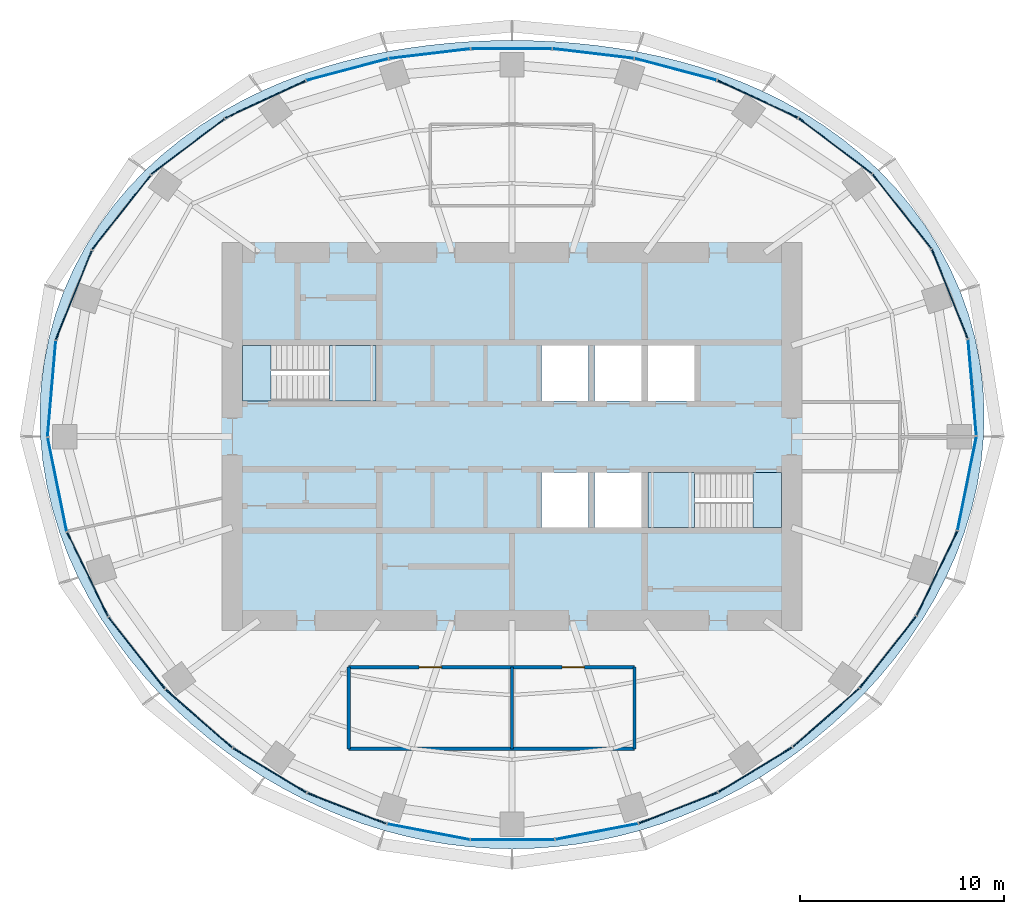
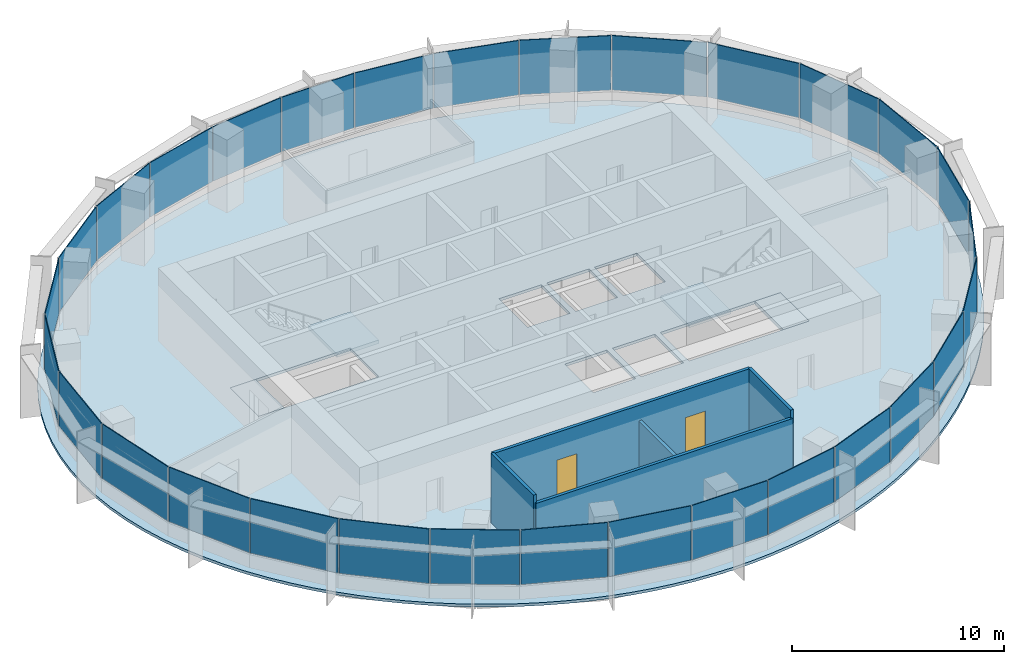
# One storey, part 8 of 13: 30 plates, 5 slabs, 5 walls, 2 doors, 2 openings, 8 elements without a shape of their own.
"""IFC4 building model written with IfcOpenShell, lengths in metres."""

from ifc_helpers import new_model, si_unit, direction, frame, frame_2d, origin, origin_2d, place, context, subcontext, project, spatial, polyline, rectangle, outline, extrude, material, layer, layer_set, type_object, element, fill, aggregate, save


model = new_model("IFC4")

# Units and contexts
model_context = context("Model", 3, precision=1e-05, world=origin(), true_north=direction((0.0, 1.0)))
body_context = subcontext(model_context, "Body", "Model", "MODEL_VIEW")
ifc_project = project(units=[si_unit("LENGTHUNIT", "METRE"), si_unit("AREAUNIT", "SQUARE_METRE"), si_unit("VOLUMEUNIT", "CUBIC_METRE"), si_unit("PLANEANGLEUNIT", "RADIAN"), si_unit("MASSUNIT", "GRAM", prefix="KILO")], contexts=[model_context])

# Site, building, storey
site_placement = place(None, origin())
site = spatial("IfcSite", under=ifc_project, at=site_placement, CompositionType="ELEMENT")
building_placement = place(site_placement, origin())
building = spatial("IfcBuilding", under=site, at=building_placement, Name="Marramba Exchange Tower", CompositionType="ELEMENT")
storey_placement = place(building_placement, frame((0.0, 0.0, 272.800048828125)))
storey = spatial("IfcBuildingStorey", under=building, at=storey_placement, Name="L66", CompositionType="ELEMENT", Elevation=272.800048828125)

# Slab
ifc_material_1 = material(Name="Concrete N40", Category="concrete")
ifc_layer_1 = layer(ifc_material_1, 0.159912109375)
ifc_layer_set_1 = layer_set([ifc_layer_1], Name="Composite floor slab 160")
slab_type_1 = type_object("IfcSlabType", Name="Composite floor slab 160", PredefinedType="FLOOR", material=ifc_layer_set_1)
slab_1_placement = place(storey_placement, frame((0.0, 0.0, -0.16015625)))
element("IfcSlab", 1, at=slab_1_placement, inside=storey, type_object=slab_type_1, Name="Floor slab L66", PredefinedType="FLOOR", context=body_context, shape_type="SweptSolid", body=[
    extrude(outline(polyline([(23.10009765625, 0.0), (23.129150390625, 1.212158203125), (23.070068359375, 2.4248046875), (22.921630859375, 3.63037109375), (22.6845703125, 4.82177734375), (22.359619140625, 5.9912109375), (21.94970703125, 7.1318359375), (21.4580078125, 8.237060546875), (20.889404296875, 9.300537109375), (20.248779296875, 10.3173828125), (19.542236328125, 11.28271484375), (18.77587890625, 12.193359375), (17.95654296875, 13.046142578125), (17.090576171875, 13.83984375), (16.18505859375, 14.572998046875), (15.245849609375, 15.245849609375), (14.279541015625, 15.85888671875), (13.291259765625, 16.413330078125), (12.28662109375, 16.9111328125), (11.270263671875, 17.3544921875), (10.24560546875, 17.745849609375), (9.21630859375, 18.088134765625), (8.185302734375, 18.38427734375), (7.154296875, 18.63720703125), (6.124755859375, 18.849853515625), (5.09765625, 19.024658203125), (4.073486328125, 19.1640625), (3.05224609375, 19.2705078125), (2.033203125, 19.344970703125), (1.01611328125, 19.389404296875), (0.0, 19.404052734375), (-1.01611328125, 19.389404296875), (-2.033203125, 19.344970703125), (-3.05224609375, 19.2705078125), (-4.073486328125, 19.1640625), (-5.09765625, 19.024658203125), (-6.124755859375, 18.849853515625), (-7.154296875, 18.63720703125), (-8.185302734375, 18.38427734375), (-9.21630859375, 18.088134765625), (-10.24560546875, 17.745849609375), (-11.270263671875, 17.3544921875), (-12.28662109375, 16.9111328125), (-13.291259765625, 16.413330078125), (-14.279541015625, 15.85888671875), (-15.245849609375, 15.245849609375), (-16.18505859375, 14.572998046875), (-17.090576171875, 13.83984375), (-17.95654296875, 13.046142578125), (-18.77587890625, 12.193359375), (-19.542236328125, 11.28271484375), (-20.248779296875, 10.3173828125), (-20.889404296875, 9.300537109375), (-21.4580078125, 8.237060546875), (-21.94970703125, 7.1318359375), (-22.359619140625, 5.9912109375), (-22.6845703125, 4.82177734375), (-22.921630859375, 3.63037109375), (-23.070068359375, 2.4248046875), (-23.129150390625, 1.212158203125), (-23.10009765625, 0.0), (-22.98486328125, -1.20458984375), (-22.78662109375, -2.39501953125), (-22.50927734375, -3.565185546875), (-22.1572265625, -4.709716796875), (-21.736083984375, -5.82421875), (-21.250732421875, -6.90478515625), (-20.706787109375, -7.948486328125), (-20.109619140625, -8.953369140625), (-19.46435546875, -9.91748046875), (-18.77587890625, -10.84033203125), (-18.048583984375, -11.720947265625), (-17.2861328125, -12.55908203125), (-16.4921875, -13.355224609375), (-15.669677734375, -14.10888671875), (-14.820556640625, -14.820556640625), (-13.947509765625, -15.490478515625), (-13.05224609375, -16.1181640625), (-12.1357421875, -16.703369140625), (-11.199951171875, -17.246337890625), (-10.24560546875, -17.745849609375), (-9.274169921875, -18.20166015625), (-8.287109375, -18.613037109375), (-7.285400390625, -18.978759765625), (-6.2705078125, -19.29833984375), (-5.243896484375, -19.570556640625), (-4.20751953125, -19.79443359375), (-3.162841796875, -19.9697265625), (-2.112060546875, -20.09521484375), (-1.05712890625, -20.1708984375), (0.0, -20.196044921875), (1.05712890625, -20.1708984375), (2.112060546875, -20.09521484375), (3.162841796875, -19.9697265625), (4.20751953125, -19.79443359375), (5.243896484375, -19.570556640625), (6.2705078125, -19.29833984375), (7.285400390625, -18.978759765625), (8.287109375, -18.613037109375), (9.274169921875, -18.20166015625), (10.24560546875, -17.745849609375), (11.199951171875, -17.246337890625), (12.1357421875, -16.703369140625), (13.05224609375, -16.1181640625), (13.947509765625, -15.490478515625), (14.820556640625, -14.820556640625), (15.669677734375, -14.10888671875), (16.4921875, -13.355224609375), (17.2861328125, -12.55908203125), (18.048583984375, -11.720947265625), (18.77587890625, -10.84033203125), (19.46435546875, -9.91748046875), (20.109619140625, -8.953369140625), (20.706787109375, -7.948486328125), (21.250732421875, -6.90478515625), (21.736083984375, -5.82421875), (22.1572265625, -4.709716796875), (22.50927734375, -3.565185546875), (22.78662109375, -2.39501953125), (22.98486328125, -1.20458984375), (23.10009765625, 0.0)]), holes=[polyline([(1.449951171875, 1.75), (3.75, 1.75), (3.75, 4.449951171875), (1.449951171875, 4.449951171875), (1.449951171875, 1.75)]), polyline([(4.050048828125, 1.75), (6.35009765625, 1.75), (6.35009765625, 4.449951171875), (4.050048828125, 4.449951171875), (4.050048828125, 1.75)]), polyline([(1.449951171875, -4.449951171875), (3.75, -4.449951171875), (3.75, -1.75), (1.449951171875, -1.75), (1.449951171875, -4.449951171875)]), polyline([(4.050048828125, -4.449951171875), (6.35009765625, -4.449951171875), (6.35009765625, -1.75), (4.050048828125, -1.75), (4.050048828125, -4.449951171875)]), polyline([(6.64990234375, 1.75), (8.949951171875, 1.75), (8.949951171875, 4.449951171875), (6.64990234375, 4.449951171875), (6.64990234375, 1.75)]), polyline([(-13.199951171875, 1.75), (-6.64990234375, 1.75), (-6.64990234375, 4.449951171875), (-13.199951171875, 4.449951171875), (-13.199951171875, 1.75)]), polyline([(6.64990234375, -4.449951171875), (13.199951171875, -4.449951171875), (13.199951171875, -1.75), (6.64990234375, -1.75), (6.64990234375, -4.449951171875)])]), origin(), (0.0, 0.0, 1.0), 0.16015625),
])

# Curtain wall, plates
ifc_material_2 = material(Name="Aluminium framing, bronze anodised", Category="aluminium")
curtain_wall_type = type_object("IfcCurtainWallType", Name="Executive floor ribbon curtain wall", PredefinedType="USERDEFINED", material=ifc_material_2)
curtain_wall_1_placement = place(storey_placement, origin())
curtain_wall_1 = element("IfcCurtainWall", 2, at=curtain_wall_1_placement, inside=storey, type_object=curtain_wall_type, Name="Curtain wall CW5 L66 F01-F05", ObjectType="RIBBON CURTAIN WALL", PredefinedType="USERDEFINED")
ifc_material_3 = material(Name="Laminated double glazed unit 13.52 + 20 + 13.52, bronze tinted, acoustic interlayer", Category="glass")
ifc_layer_2 = layer(ifc_material_3, 0.047119140625)
ifc_layer_set_2 = layer_set([ifc_layer_2], Name="Executive floor ribbon curtain wall panel")
plate_type = type_object("IfcPlateType", Name="Executive floor ribbon curtain wall panel", PredefinedType="CURTAIN_PANEL", material=ifc_layer_set_2)
plate_1_placement = place(storey_placement, frame((22.54345703125, 2.404296875, 0.85986328125), z_axis=(0.0, 0.0, 1.0), x_axis=(-0.085574009881, 0.996331816632, 0.0)))
plate_1 = element("IfcPlate", 3, at=plate_1_placement, type_object=plate_type, Name="CW5 vision panel", PredefinedType="CURTAIN_PANEL", context=body_context, shape_type="SweptSolid", body=[
    extrude(rectangle(XDim=4.70654296875, YDim=0.047119140625, at=origin_2d()), origin(), (0.0, 0.0, 1.0), 3.139892578125),
])
plate_2_placement = place(storey_placement, frame((21.444580078125, 6.9814453125, 0.85986328125), z_axis=(0.0, 0.0, 1.0), x_axis=(-0.372983090774, 0.927838139977, 0.0)))
plate_2 = element("IfcPlate", 4, at=plate_2_placement, type_object=plate_type, Name="CW5 vision panel", PredefinedType="CURTAIN_PANEL", context=body_context, shape_type="SweptSolid", body=[
    extrude(rectangle(XDim=4.692138671875, YDim=0.047119140625, at=origin_2d()), origin(), (0.0, 0.0, 1.0), 3.139892578125),
])
plate_3_placement = place(storey_placement, frame((19.10302734375, 11.02294921875, 0.85986328125), z_axis=(0.0, 0.0, 1.0), x_axis=(-0.618222857512, 0.786002861604, 0.0)))
plate_3 = element("IfcPlate", 5, at=plate_3_placement, type_object=plate_type, Name="CW5 vision panel", PredefinedType="CURTAIN_PANEL", context=body_context, shape_type="SweptSolid", body=[
    extrude(rectangle(XDim=4.624755859375, YDim=0.047119140625, at=origin_2d()), origin(), (0.0, 0.0, 1.0), 3.139892578125),
])
plate_4_placement = place(storey_placement, frame((15.83544921875, 14.23779296875, 0.85986328125), z_axis=(0.0, 0.0, 1.0), x_axis=(-0.796058900199, 0.605219156516, 0.0)))
plate_4 = element("IfcPlate", 6, at=plate_4_placement, type_object=plate_type, Name="CW5 vision panel", PredefinedType="CURTAIN_PANEL", context=body_context, shape_type="SweptSolid", body=[
    extrude(rectangle(XDim=4.49755859375, YDim=0.047119140625, at=origin_2d()), origin(), (0.0, 0.0, 1.0), 3.139892578125),
])
plate_5_placement = place(storey_placement, frame((12.03076171875, 16.533447265625, 0.85986328125), z_axis=(0.0, 0.0, 1.0), x_axis=(-0.90713057934, 0.420849274712, 0.0)))
plate_5 = element("IfcPlate", 7, at=plate_5_placement, type_object=plate_type, Name="CW5 vision panel", PredefinedType="CURTAIN_PANEL", context=body_context, shape_type="SweptSolid", body=[
    extrude(rectangle(XDim=4.321533203125, YDim=0.047119140625, at=origin_2d()), origin(), (0.0, 0.0, 1.0), 3.139892578125),
])
aggregate(curtain_wall_1, [plate_1, plate_2, plate_3, plate_4, plate_5])

curtain_wall_2_placement = place(storey_placement, origin())
curtain_wall_2 = element("IfcCurtainWall", 8, at=curtain_wall_2_placement, inside=storey, type_object=curtain_wall_type, Name="Curtain wall CW5 L66 F06-F10", ObjectType="RIBBON CURTAIN WALL", PredefinedType="USERDEFINED")
plate_6_placement = place(storey_placement, frame((8.0146484375, 17.987548828125, 0.85986328125), z_axis=(0.0, 0.0, 1.0), x_axis=(-0.966643517501, 0.256125574813, 0.0)))
plate_6 = element("IfcPlate", 9, at=plate_6_placement, type_object=plate_type, Name="CW5 vision panel", PredefinedType="CURTAIN_PANEL", context=body_context, shape_type="SweptSolid", body=[
    extrude(rectangle(XDim=4.134033203125, YDim=0.047119140625, at=origin_2d()), origin(), (0.0, 0.0, 1.0), 3.139892578125),
])
plate_7_placement = place(storey_placement, frame((3.976806640625, 18.760498046875, 0.85986328125), z_axis=(0.0, 0.0, 1.0), x_axis=(-0.992947253654, 0.118556954505, 0.0)))
plate_7 = element("IfcPlate", 10, at=plate_7_placement, type_object=plate_type, Name="CW5 vision panel", PredefinedType="CURTAIN_PANEL", context=body_context, shape_type="SweptSolid", body=[
    extrude(rectangle(XDim=3.988525390625, YDim=0.047119140625, at=origin_2d()), origin(), (0.0, 0.0, 1.0), 3.139892578125),
])
plate_8_placement = place(storey_placement, frame((-0.030029296875, 18.9970703125, 0.85986328125), z_axis=(0.0, 0.0, 1.0), x_axis=(-1.0, 0.0, 0.0)))
plate_8 = element("IfcPlate", 11, at=plate_8_placement, type_object=plate_type, Name="CW5 vision panel", PredefinedType="CURTAIN_PANEL", context=body_context, shape_type="SweptSolid", body=[
    extrude(rectangle(XDim=3.933349609375, YDim=0.047119140625, at=origin_2d()), origin(), (0.0, 0.0, 1.0), 3.139892578125),
])
plate_9_placement = place(storey_placement, frame((-4.036376953125, 18.75341796875, 0.85986328125), z_axis=(0.0, 0.0, 1.0), x_axis=(-0.992947253654, -0.118556954505, 0.0)))
plate_9 = element("IfcPlate", 12, at=plate_9_placement, type_object=plate_type, Name="CW5 vision panel", PredefinedType="CURTAIN_PANEL", context=body_context, shape_type="SweptSolid", body=[
    extrude(rectangle(XDim=3.988525390625, YDim=0.047119140625, at=origin_2d()), origin(), (0.0, 0.0, 1.0), 3.139892578125),
])
plate_10_placement = place(storey_placement, frame((-8.072509765625, 17.97216796875, 0.85986328125), z_axis=(0.0, 0.0, 1.0), x_axis=(-0.966643517501, -0.256125574813, 0.0)))
plate_10 = element("IfcPlate", 13, at=plate_10_placement, type_object=plate_type, Name="CW5 vision panel", PredefinedType="CURTAIN_PANEL", context=body_context, shape_type="SweptSolid", body=[
    extrude(rectangle(XDim=4.134033203125, YDim=0.047119140625, at=origin_2d()), origin(), (0.0, 0.0, 1.0), 3.139892578125),
])
aggregate(curtain_wall_2, [plate_6, plate_7, plate_8, plate_9, plate_10])

curtain_wall_3_placement = place(storey_placement, origin())
curtain_wall_3 = element("IfcCurtainWall", 14, at=curtain_wall_3_placement, inside=storey, type_object=curtain_wall_type, Name="Curtain wall CW5 L66 F11-F15", ObjectType="RIBBON CURTAIN WALL", PredefinedType="USERDEFINED")
plate_11_placement = place(storey_placement, frame((-12.085205078125, 16.50830078125, 0.85986328125), z_axis=(0.0, 0.0, 1.0), x_axis=(-0.90713057934, -0.420849274712, 0.0)))
plate_11 = element("IfcPlate", 15, at=plate_11_placement, type_object=plate_type, Name="CW5 vision panel", PredefinedType="CURTAIN_PANEL", context=body_context, shape_type="SweptSolid", body=[
    extrude(rectangle(XDim=4.321533203125, YDim=0.047119140625, at=origin_2d()), origin(), (0.0, 0.0, 1.0), 3.139892578125),
])
plate_12_placement = place(storey_placement, frame((-15.88330078125, 14.201416015625, 0.85986328125), z_axis=(0.0, 0.0, 1.0), x_axis=(-0.796058900199, -0.605219156516, 0.0)))
plate_12 = element("IfcPlate", 16, at=plate_12_placement, type_object=plate_type, Name="CW5 vision panel", PredefinedType="CURTAIN_PANEL", context=body_context, shape_type="SweptSolid", body=[
    extrude(rectangle(XDim=4.49755859375, YDim=0.047119140625, at=origin_2d()), origin(), (0.0, 0.0, 1.0), 3.139892578125),
])
plate_13_placement = place(storey_placement, frame((-19.14013671875, 10.975830078125, 0.85986328125), z_axis=(0.0, 0.0, 1.0), x_axis=(-0.618222857512, -0.786002861604, 0.0)))
plate_13 = element("IfcPlate", 17, at=plate_13_placement, type_object=plate_type, Name="CW5 vision panel", PredefinedType="CURTAIN_PANEL", context=body_context, shape_type="SweptSolid", body=[
    extrude(rectangle(XDim=4.624755859375, YDim=0.047119140625, at=origin_2d()), origin(), (0.0, 0.0, 1.0), 3.139892578125),
])
plate_14_placement = place(storey_placement, frame((-21.467041015625, 6.92578125, 0.85986328125), z_axis=(0.0, 0.0, 1.0), x_axis=(-0.372983090774, -0.927838139977, 0.0)))
plate_14 = element("IfcPlate", 18, at=plate_14_placement, type_object=plate_type, Name="CW5 vision panel", PredefinedType="CURTAIN_PANEL", context=body_context, shape_type="SweptSolid", body=[
    extrude(rectangle(XDim=4.692138671875, YDim=0.047119140625, at=origin_2d()), origin(), (0.0, 0.0, 1.0), 3.139892578125),
])
plate_15_placement = place(storey_placement, frame((-22.548583984375, 2.344482421875, 0.85986328125), z_axis=(0.0, 0.0, 1.0), x_axis=(-0.085574009881, -0.996331816632, 0.0)))
plate_15 = element("IfcPlate", 19, at=plate_15_placement, type_object=plate_type, Name="CW5 vision panel", PredefinedType="CURTAIN_PANEL", context=body_context, shape_type="SweptSolid", body=[
    extrude(rectangle(XDim=4.70654296875, YDim=0.047119140625, at=origin_2d()), origin(), (0.0, 0.0, 1.0), 3.139892578125),
])
aggregate(curtain_wall_3, [plate_11, plate_12, plate_13, plate_14, plate_15])

curtain_wall_4_placement = place(storey_placement, origin())
curtain_wall_4 = element("IfcCurtainWall", 20, at=curtain_wall_4_placement, inside=storey, type_object=curtain_wall_type, Name="Curtain wall CW5 L66 F16-F20", ObjectType="RIBBON CURTAIN WALL", PredefinedType="USERDEFINED")
plate_16_placement = place(storey_placement, frame((-22.276611328125, -2.347900390625, 0.85986328125), z_axis=(0.0, 0.0, 1.0), x_axis=(0.19767053089, -0.980268514856, 0.0)))
plate_16 = element("IfcPlate", 21, at=plate_16_placement, type_object=plate_type, Name="CW5 vision panel", PredefinedType="CURTAIN_PANEL", context=body_context, shape_type="SweptSolid", body=[
    extrude(rectangle(XDim=4.670166015625, YDim=0.047119140625, at=origin_2d()), origin(), (0.0, 0.0, 1.0), 3.139892578125),
])
plate_17_placement = place(storey_placement, frame((-20.789306640625, -6.7509765625, 0.85986328125), z_axis=(0.0, 0.0, 1.0), x_axis=(0.436514585945, -0.89969718031, 0.0)))
plate_17 = element("IfcPlate", 22, at=plate_17_placement, type_object=plate_type, Name="CW5 vision panel", PredefinedType="CURTAIN_PANEL", context=body_context, shape_type="SweptSolid", body=[
    extrude(rectangle(XDim=4.579345703125, YDim=0.047119140625, at=origin_2d()), origin(), (0.0, 0.0, 1.0), 3.139892578125),
])
plate_18_placement = place(storey_placement, frame((-18.3779296875, -10.605712890625, 0.85986328125), z_axis=(0.0, 0.0, 1.0), x_axis=(0.618290634763, -0.78594954734, 0.0)))
plate_18 = element("IfcPlate", 23, at=plate_18_placement, type_object=plate_type, Name="CW5 vision panel", PredefinedType="CURTAIN_PANEL", context=body_context, shape_type="SweptSolid", body=[
    extrude(rectangle(XDim=4.447265625, YDim=0.047119140625, at=origin_2d()), origin(), (0.0, 0.0, 1.0), 3.139892578125),
])
plate_19_placement = place(storey_placement, frame((-15.335693359375, -13.8115234375, 0.85986328125), z_axis=(0.0, 0.0, 1.0), x_axis=(0.752751050569, -0.658305290779, 0.0)))
plate_19 = element("IfcPlate", 24, at=plate_19_placement, type_object=plate_type, Name="CW5 vision panel", PredefinedType="CURTAIN_PANEL", context=body_context, shape_type="SweptSolid", body=[
    extrude(rectangle(XDim=4.31005859375, YDim=0.047119140625, at=origin_2d()), origin(), (0.0, 0.0, 1.0), 3.139892578125),
])
plate_20_placement = place(storey_placement, frame((-11.866455078125, -16.35205078125, 0.85986328125), z_axis=(0.0, 0.0, 1.0), x_axis=(0.854704329539, -0.519115121209, 0.0)))
plate_20 = element("IfcPlate", 25, at=plate_20_placement, type_object=plate_type, Name="CW5 vision panel", PredefinedType="CURTAIN_PANEL", context=body_context, shape_type="SweptSolid", body=[
    extrude(rectangle(XDim=4.2021484375, YDim=0.047119140625, at=origin_2d()), origin(), (0.0, 0.0, 1.0), 3.139892578125),
])
aggregate(curtain_wall_4, [plate_16, plate_17, plate_18, plate_19, plate_20])

curtain_wall_5_placement = place(storey_placement, origin())
curtain_wall_5 = element("IfcCurtainWall", 26, at=curtain_wall_5_placement, inside=storey, type_object=curtain_wall_type, Name="Curtain wall CW5 L66 F21-F25", ObjectType="RIBBON CURTAIN WALL", PredefinedType="USERDEFINED")
plate_21_placement = place(storey_placement, frame((-8.08837890625, -18.215087890625, 0.85986328125), z_axis=(0.0, 0.0, 1.0), x_axis=(0.931785137859, -0.363010271018, 0.0)))
plate_21 = element("IfcPlate", 27, at=plate_21_placement, type_object=plate_type, Name="CW5 vision panel", PredefinedType="CURTAIN_PANEL", context=body_context, shape_type="SweptSolid", body=[
    extrude(rectangle(XDim=4.134521484375, YDim=0.047119140625, at=origin_2d()), origin(), (0.0, 0.0, 1.0), 3.139892578125),
])
plate_22_placement = place(storey_placement, frame((-4.08935546875, -19.36181640625, 0.85986328125), z_axis=(0.0, 0.0, 1.0), x_axis=(0.982193291127, -0.187873198899, 0.0)))
plate_22 = element("IfcPlate", 28, at=plate_22_placement, type_object=plate_type, Name="CW5 vision panel", PredefinedType="CURTAIN_PANEL", context=body_context, shape_type="SweptSolid", body=[
    extrude(rectangle(XDim=4.100830078125, YDim=0.047119140625, at=origin_2d()), origin(), (0.0, 0.0, 1.0), 3.139892578125),
])
plate_23_placement = place(storey_placement, frame((0.030029296875, -19.7470703125, 0.85986328125), z_axis=(0.0, 0.0, 1.0), x_axis=(1.0, 0.0, 0.0)))
plate_23 = element("IfcPlate", 29, at=plate_23_placement, type_object=plate_type, Name="CW5 vision panel", PredefinedType="CURTAIN_PANEL", context=body_context, shape_type="SweptSolid", body=[
    extrude(rectangle(XDim=4.091064453125, YDim=0.047119140625, at=origin_2d()), origin(), (0.0, 0.0, 1.0), 3.139892578125),
])
plate_24_placement = place(storey_placement, frame((4.1484375, -19.3505859375, 0.85986328125), z_axis=(0.0, 0.0, 1.0), x_axis=(0.982193291127, 0.187873198899, 0.0)))
plate_24 = element("IfcPlate", 30, at=plate_24_placement, type_object=plate_type, Name="CW5 vision panel", PredefinedType="CURTAIN_PANEL", context=body_context, shape_type="SweptSolid", body=[
    extrude(rectangle(XDim=4.100830078125, YDim=0.047119140625, at=origin_2d()), origin(), (0.0, 0.0, 1.0), 3.139892578125),
])
plate_25_placement = place(storey_placement, frame((8.144287109375, -18.193115234375, 0.85986328125), z_axis=(0.0, 0.0, 1.0), x_axis=(0.931785137859, 0.363010271018, 0.0)))
plate_25 = element("IfcPlate", 31, at=plate_25_placement, type_object=plate_type, Name="CW5 vision panel", PredefinedType="CURTAIN_PANEL", context=body_context, shape_type="SweptSolid", body=[
    extrude(rectangle(XDim=4.134521484375, YDim=0.047119140625, at=origin_2d()), origin(), (0.0, 0.0, 1.0), 3.139892578125),
])
aggregate(curtain_wall_5, [plate_21, plate_22, plate_23, plate_24, plate_25])

curtain_wall_6_placement = place(storey_placement, origin())
curtain_wall_6 = element("IfcCurtainWall", 32, at=curtain_wall_6_placement, inside=storey, type_object=curtain_wall_type, Name="Curtain wall CW5 L66 F26-F30", ObjectType="RIBBON CURTAIN WALL", PredefinedType="USERDEFINED")
plate_26_placement = place(storey_placement, frame((11.917724609375, -16.321044921875, 0.85986328125), z_axis=(0.0, 0.0, 1.0), x_axis=(0.854704329539, 0.519115121209, 0.0)))
plate_26 = element("IfcPlate", 33, at=plate_26_placement, type_object=plate_type, Name="CW5 vision panel", PredefinedType="CURTAIN_PANEL", context=body_context, shape_type="SweptSolid", body=[
    extrude(rectangle(XDim=4.2021484375, YDim=0.047119140625, at=origin_2d()), origin(), (0.0, 0.0, 1.0), 3.139892578125),
])
plate_27_placement = place(storey_placement, frame((15.380859375, -13.772216796875, 0.85986328125), z_axis=(0.0, 0.0, 1.0), x_axis=(0.752751050569, 0.658305290779, 0.0)))
plate_27 = element("IfcPlate", 34, at=plate_27_placement, type_object=plate_type, Name="CW5 vision panel", PredefinedType="CURTAIN_PANEL", context=body_context, shape_type="SweptSolid", body=[
    extrude(rectangle(XDim=4.31005859375, YDim=0.047119140625, at=origin_2d()), origin(), (0.0, 0.0, 1.0), 3.139892578125),
])
plate_28_placement = place(storey_placement, frame((18.4150390625, -10.55859375, 0.85986328125), z_axis=(0.0, 0.0, 1.0), x_axis=(0.618290634763, 0.78594954734, 0.0)))
plate_28 = element("IfcPlate", 35, at=plate_28_placement, type_object=plate_type, Name="CW5 vision panel", PredefinedType="CURTAIN_PANEL", context=body_context, shape_type="SweptSolid", body=[
    extrude(rectangle(XDim=4.447265625, YDim=0.047119140625, at=origin_2d()), origin(), (0.0, 0.0, 1.0), 3.139892578125),
])
plate_29_placement = place(storey_placement, frame((20.8154296875, -6.697021484375, 0.85986328125), z_axis=(0.0, 0.0, 1.0), x_axis=(0.436514585945, 0.89969718031, 0.0)))
plate_29 = element("IfcPlate", 36, at=plate_29_placement, type_object=plate_type, Name="CW5 vision panel", PredefinedType="CURTAIN_PANEL", context=body_context, shape_type="SweptSolid", body=[
    extrude(rectangle(XDim=4.579345703125, YDim=0.047119140625, at=origin_2d()), origin(), (0.0, 0.0, 1.0), 3.139892578125),
])
plate_30_placement = place(storey_placement, frame((22.288330078125, -2.2890625, 0.85986328125), z_axis=(0.0, 0.0, 1.0), x_axis=(0.19767053089, 0.980268514856, 0.0)))
plate_30 = element("IfcPlate", 37, at=plate_30_placement, type_object=plate_type, Name="CW5 vision panel", PredefinedType="CURTAIN_PANEL", context=body_context, shape_type="SweptSolid", body=[
    extrude(rectangle(XDim=4.670166015625, YDim=0.047119140625, at=origin_2d()), origin(), (0.0, 0.0, 1.0), 3.139892578125),
])
aggregate(curtain_wall_6, [plate_26, plate_27, plate_28, plate_29, plate_30])

# Stair, slabs
ifc_material_4 = material(Name="Concrete N40 (40 MPa)", Category="concrete")
stair_type_1 = type_object("IfcStairType", Name="Exit stair ST1 4200 x 1250", PredefinedType="HALF_TURN_STAIR", material=ifc_material_4)
stair_1_placement = place(storey_placement, origin())
stair_1 = element("IfcStair", 38, at=stair_1_placement, inside=storey, type_object=stair_type_1, Name="Exit stair ST1 L66", PredefinedType="HALF_TURN_STAIR")
ifc_layer_3 = layer(ifc_material_4, 0.199951171875)
ifc_layer_set_3 = layer_set([ifc_layer_3], Name="Stair landing 200")
slab_type_2 = type_object("IfcSlabType", Name="Stair landing 200", PredefinedType="LANDING", material=ifc_layer_set_3)
slab_2_placement = place(storey_placement, frame((0.0, 0.0, -0.199951171875)))
slab_2 = element("IfcSlab", 39, at=slab_2_placement, type_object=slab_type_2, Name="ST1 landing 1", PredefinedType="LANDING", context=body_context, shape_type="SweptSolid", body=[
    extrude(outline(polyline([(-13.199951171875, 1.75), (-11.800048828125, 1.75), (-11.800048828125, 4.449951171875), (-13.199951171875, 4.449951171875), (-13.199951171875, 1.75)])), origin(), (0.0, 0.0, 1.0), 0.199951171875),
])
slab_3_placement = place(storey_placement, frame((0.0, 0.0, 1.89990234375)))
slab_3 = element("IfcSlab", 40, at=slab_3_placement, type_object=slab_type_2, Name="ST1 landing 2", PredefinedType="LANDING", context=body_context, shape_type="SweptSolid", body=[
    extrude(outline(polyline([(-8.93994140625, 1.75), (-6.64990234375, 1.75), (-6.64990234375, 4.449951171875), (-8.93994140625, 4.449951171875), (-8.93994140625, 1.75)])), origin(), (0.0, 0.0, 1.0), 0.199951171875),
])
aggregate(stair_1, [slab_2, slab_3])

stair_type_2 = type_object("IfcStairType", Name="Exit stair ST2 4200 x 1250", PredefinedType="HALF_TURN_STAIR", material=ifc_material_4)
stair_2_placement = place(storey_placement, origin())
stair_2 = element("IfcStair", 41, at=stair_2_placement, inside=storey, type_object=stair_type_2, Name="Exit stair ST2 L66", PredefinedType="HALF_TURN_STAIR")
slab_4_placement = place(storey_placement, frame((0.0, 0.0, -0.199951171875)))
slab_4 = element("IfcSlab", 42, at=slab_4_placement, type_object=slab_type_2, Name="ST2 landing 1", PredefinedType="LANDING", context=body_context, shape_type="SweptSolid", body=[
    extrude(outline(polyline([(11.800048828125, -4.449951171875), (13.199951171875, -4.449951171875), (13.199951171875, -1.75), (11.800048828125, -1.75), (11.800048828125, -4.449951171875)])), origin(), (0.0, 0.0, 1.0), 0.199951171875),
])
slab_5_placement = place(storey_placement, frame((0.0, 0.0, 1.89990234375)))
slab_5 = element("IfcSlab", 43, at=slab_5_placement, type_object=slab_type_2, Name="ST2 landing 2", PredefinedType="LANDING", context=body_context, shape_type="SweptSolid", body=[
    extrude(outline(polyline([(6.64990234375, -4.449951171875), (8.93994140625, -4.449951171875), (8.93994140625, -1.75), (6.64990234375, -1.75), (6.64990234375, -4.449951171875)])), origin(), (0.0, 0.0, 1.0), 0.199951171875),
])
aggregate(stair_2, [slab_4, slab_5])

# Wall
ifc_material_5 = material(Name="Plasterboard on staggered double steel studs, acoustic insulation", Category="steel")
ifc_layer_4 = layer(ifc_material_5, 0.169921875)
ifc_layer_set_4 = layer_set([ifc_layer_4], Name="Acoustic partition 170")
wall_type = type_object("IfcWallType", Name="Acoustic partition 170", PredefinedType="PARTITIONING", material=ifc_layer_set_4)
wall_1_placement = place(storey_placement, frame((-8.0, -15.300048828125, 0.0), z_axis=(0.0, 0.0, 1.0), x_axis=(0.0, 1.0, 0.0)))
element("IfcWall", 44, at=wall_1_placement, inside=storey, type_object=wall_type, Name="Acoustic partition L66 02", PredefinedType="PARTITIONING", context=body_context, shape_type="SweptSolid", body=[
    extrude(rectangle(XDim=4.0, YDim=0.169921875, at=frame_2d((2.0, 0.0))), origin(), (0.0, 0.0, 1.0), 4.0),
])

# Wall, openings, doors
wall_2_placement = place(storey_placement, frame((-8.0, -11.300048828125, 0.0), z_axis=(0.0, 0.0, 1.0), x_axis=(1.0, 0.0, 0.0)))
wall_2 = element("IfcWall", 45, at=wall_2_placement, inside=storey, type_object=wall_type, Name="Acoustic partition L66 03", PredefinedType="PARTITIONING", context=body_context, shape_type="SweptSolid", body=[
    extrude(rectangle(XDim=14.0, YDim=0.169921875, at=frame_2d((7.0, 0.0))), origin(), (0.0, 0.0, 1.0), 4.0),
])
opening_1_placement = place(wall_2_placement, frame((3.449951171875, 0.0, 0.0)))
opening_1 = element("IfcOpeningElement", 46, at=opening_1_placement, cuts=wall_2, Name="Opening D15", PredefinedType="OPENING", context=body_context, shape_type="SweptSolid", body=[
    extrude(rectangle(XDim=1.10009765625, YDim=2.39990234375, at=frame_2d((0.550048828125, 1.199951171875))), frame((0.0, 0.094970703125, 0.0), z_axis=(0.0, -1.0, 0.0), x_axis=(1.0, 0.0, 0.0)), (0.0, 0.0, 1.0), 0.18994140625),
])
opening_2_placement = place(wall_2_placement, frame((10.449951171875, 0.0, 0.0)))
opening_2 = element("IfcOpeningElement", 47, at=opening_2_placement, cuts=wall_2, Name="Opening D15", PredefinedType="OPENING", context=body_context, shape_type="SweptSolid", body=[
    extrude(rectangle(XDim=1.10009765625, YDim=2.39990234375, at=frame_2d((0.550048828125, 1.199951171875))), frame((0.0, 0.094970703125, 0.0), z_axis=(0.0, -1.0, 0.0), x_axis=(1.0, 0.0, 0.0)), (0.0, 0.0, 1.0), 0.18994140625),
])
ifc_material_6 = material(Name="Timber door", Category="wood")
door_type = type_object("IfcDoorType", Name="Glazed meeting room door 1100x2400", OperationType="SINGLE_SWING_LEFT", PredefinedType="DOOR", material=ifc_material_6)
door_1_placement = place(opening_1_placement, frame((1.10009765625, 0.0, 0.0), z_axis=(0.0, 0.0, 1.0), x_axis=(-1.0, 0.0, 0.0)))
door_1 = element("IfcDoor", 48, at=door_1_placement, inside=storey, type_object=door_type, Name="D15 Meeting Room 1 L66", OperationType="SINGLE_SWING_RIGHT", OverallHeight=2.39990234375, OverallWidth=1.10009765625, PredefinedType="DOOR", context=body_context, shape_type="SweptSolid", body=[
    extrude(rectangle(XDim=1.10009765625, YDim=2.39990234375, at=frame_2d((0.550048828125, 1.199951171875))), frame((0.0, 0.025146484375, 0.0), z_axis=(0.0, -1.0, 0.0), x_axis=(1.0, 0.0, 0.0)), (0.0, 0.0, 1.0), 0.050048828125),
])
fill(opening_1, door_1)
door_2_placement = place(opening_2_placement, frame((1.10009765625, 0.0, 0.0), z_axis=(0.0, 0.0, 1.0), x_axis=(-1.0, 0.0, 0.0)))
door_2 = element("IfcDoor", 49, at=door_2_placement, inside=storey, type_object=door_type, Name="D15 Meeting Room 2 L66", OperationType="SINGLE_SWING_RIGHT", OverallHeight=2.39990234375, OverallWidth=1.10009765625, PredefinedType="DOOR", context=body_context, shape_type="SweptSolid", body=[
    extrude(rectangle(XDim=1.10009765625, YDim=2.39990234375, at=frame_2d((0.550048828125, 1.199951171875))), frame((0.0, 0.025146484375, 0.0), z_axis=(0.0, -1.0, 0.0), x_axis=(1.0, 0.0, 0.0)), (0.0, 0.0, 1.0), 0.050048828125),
])
fill(opening_2, door_2)

# Walls
wall_3_placement = place(storey_placement, frame((6.0, -15.300048828125, 0.0), z_axis=(0.0, 0.0, 1.0), x_axis=(-1.0, 0.0, 0.0)))
element("IfcWall", 50, at=wall_3_placement, inside=storey, type_object=wall_type, Name="Acoustic partition L66 04", PredefinedType="PARTITIONING", context=body_context, shape_type="SweptSolid", body=[
    extrude(rectangle(XDim=14.0, YDim=0.169921875, at=frame_2d((7.0, 0.0))), origin(), (0.0, 0.0, 1.0), 3.5458984375),
])
wall_4_placement = place(storey_placement, frame((0.0, -11.300048828125, 0.0), z_axis=(0.0, 0.0, 1.0), x_axis=(0.0, -1.0, 0.0)))
element("IfcWall", 51, at=wall_4_placement, inside=storey, type_object=wall_type, Name="Acoustic partition L66 05", PredefinedType="PARTITIONING", context=body_context, shape_type="SweptSolid", body=[
    extrude(rectangle(XDim=4.0, YDim=0.169921875, at=frame_2d((2.0, 0.0))), origin(), (0.0, 0.0, 1.0), 3.099853515625),
])
wall_5_placement = place(storey_placement, frame((6.0, -11.300048828125, 0.0), z_axis=(0.0, 0.0, 1.0), x_axis=(0.0, -1.0, 0.0)))
element("IfcWall", 52, at=wall_5_placement, inside=storey, type_object=wall_type, Name="Acoustic partition L66 06", PredefinedType="PARTITIONING", context=body_context, shape_type="SweptSolid", body=[
    extrude(rectangle(XDim=4.0, YDim=0.169921875, at=frame_2d((2.0, 0.0))), origin(), (0.0, 0.0, 1.0), 4.0),
])

save(model, "model.ifc")
